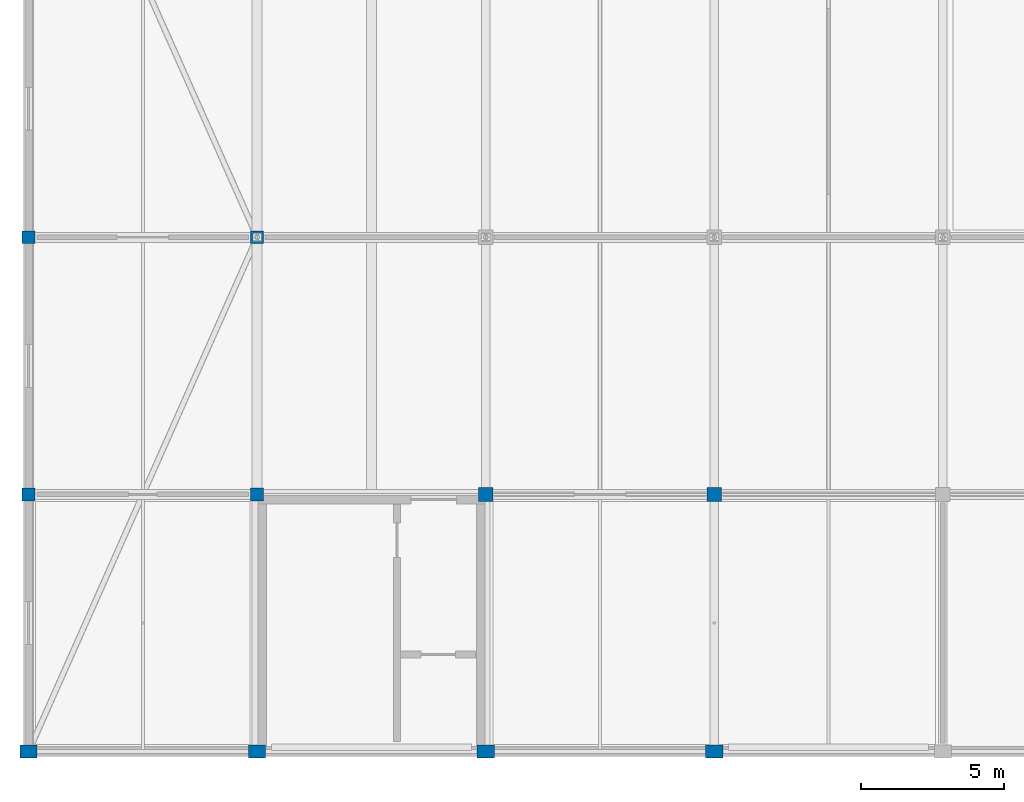
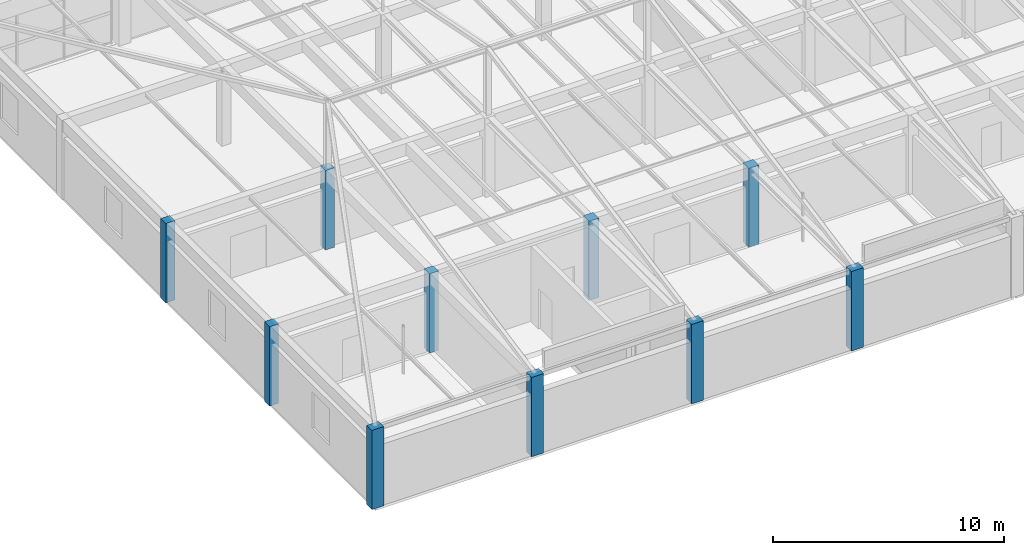
# One storey, part 1 of 65: 10 columns.
"""IFC4 building model written with IfcOpenShell, lengths in metres."""

from ifc_helpers import new_model, si_unit, direction, frame, origin, origin_2d, place, context, subcontext, project, spatial, rectangle, extrude, material, material_profile, profile_set, type_object, element, save


model = new_model("IFC4")

# Units and contexts
model_context = context("Model", 3, precision=1e-05, world=origin(), true_north=direction((0.0, 1.0)))
body_context = subcontext(model_context, "Body", "Model", "MODEL_VIEW")
ifc_project = project(units=[si_unit("LENGTHUNIT", "METRE"), si_unit("AREAUNIT", "SQUARE_METRE"), si_unit("VOLUMEUNIT", "CUBIC_METRE"), si_unit("PLANEANGLEUNIT", "RADIAN"), si_unit("MASSUNIT", "GRAM", prefix="KILO")], contexts=[model_context])

# Site, building, storey
site_placement = place(None, origin())
site = spatial("IfcSite", under=ifc_project, at=site_placement, CompositionType="ELEMENT")
building_placement = place(site_placement, origin())
building = spatial("IfcBuilding", under=site, at=building_placement, Name="Varnabhumi Central Station", CompositionType="ELEMENT")
storey_placement = place(building_placement, frame((0.0, 0.0, 24.60009765625)))
storey = spatial("IfcBuildingStorey", under=building, at=storey_placement, Name="L05", CompositionType="ELEMENT", Elevation=24.60009765625)

# Columns
ifc_material = material(Name="Concrete M40", Category="concrete")
ifc_material_profile_1 = material_profile(ifc_material, rectangle(XDim=0.449951171875, YDim=0.449951171875, at=origin_2d()), Name="Concrete M40", Category="concrete")
ifc_profile_set_1 = profile_set([ifc_material_profile_1], Name="Concrete M40")
column_type_1 = type_object("IfcColumnType", Name="COL-RC-450", PredefinedType="COLUMN", material=ifc_profile_set_1)
for number, where, z_axis, x_axis, name in (
    (1, (32.0, 9.0, 0.0), (0.0, 0.0, 1.0), (1.0, 0.0, 0.0), "Column L05-5B"),
    (2, (32.0, 18.0, 0.0), (0.0, 0.0, 1.0), (1.0, 0.0, 0.0), "Column L05-5C"),
    (3, (40.0, 9.0, 0.0), (0.0, 0.0, 1.0), (1.0, 0.0, 0.0), "Column L05-6B"),
    (4, (40.0, 18.0, 0.0), (0.0, 0.0, 1.0), (1.0, 0.0, 0.0), "Column L05-6C"),
):
    element("IfcColumn", number, at=place(storey_placement, frame(where, z_axis=z_axis, x_axis=x_axis)), inside=storey, type_object=column_type_1, Name=name, PredefinedType="COLUMN", context=body_context, shape_type="SweptSolid", body=[
        extrude(rectangle(XDim=0.449951171875, YDim=0.449951171875, at=origin_2d()), origin(), (0.0, 0.0, 1.0), 4.199951171875),
    ])
ifc_material_profile_2 = material_profile(ifc_material, rectangle(XDim=0.60009765625, YDim=0.449951171875, at=origin_2d()), Name="Concrete M40", Category="concrete")
ifc_profile_set_2 = profile_set([ifc_material_profile_2], Name="Concrete M40")
column_type_2 = type_object("IfcColumnType", Name="COL-RC-600x450", PredefinedType="PILASTER", material=ifc_profile_set_2)
for number, where, z_axis, x_axis, name in (
    (5, (32.0, 0.0, 0.0), (0.0, 0.0, 1.0), (1.0, 0.0, 0.0), "Column L05-5A"),
    (6, (40.0, 0.0, 0.0), (0.0, 0.0, 1.0), (1.0, 0.0, 0.0), "Column L05-6A"),
    (7, (48.0, 0.0, 0.0), (0.0, 0.0, 1.0), (1.0, 0.0, 0.0), "Column L05-7A"),
    (8, (56.0, 0.0, 0.0), (0.0, 0.0, 1.0), (1.0, 0.0, 0.0), "Column L05-8A"),
):
    element("IfcColumn", number, at=place(storey_placement, frame(where, z_axis=z_axis, x_axis=x_axis)), inside=storey, type_object=column_type_2, Name=name, PredefinedType="PILASTER", context=body_context, shape_type="SweptSolid", body=[
        extrude(rectangle(XDim=0.60009765625, YDim=0.449951171875, at=origin_2d()), origin(), (0.0, 0.0, 1.0), 4.199951171875),
    ])
ifc_material_profile_3 = material_profile(ifc_material, rectangle(XDim=0.5, YDim=0.5, at=origin_2d()), Name="Concrete M40", Category="concrete")
ifc_profile_set_3 = profile_set([ifc_material_profile_3], Name="Concrete M40")
column_type_3 = type_object("IfcColumnType", Name="COL-UPPER-500", PredefinedType="COLUMN", material=ifc_profile_set_3)
for number, where, z_axis, x_axis, name in (
    (9, (48.0, 9.0, 0.0), (0.0, 0.0, 1.0), (1.0, 0.0, 0.0), "Column L05-7B"),
    (10, (56.0, 9.0, 0.0), (0.0, 0.0, 1.0), (1.0, 0.0, 0.0), "Column L05-8B"),
):
    element("IfcColumn", number, at=place(storey_placement, frame(where, z_axis=z_axis, x_axis=x_axis)), inside=storey, type_object=column_type_3, Name=name, PredefinedType="COLUMN", context=body_context, shape_type="SweptSolid", body=[
        extrude(rectangle(XDim=0.5, YDim=0.5, at=origin_2d()), origin(), (0.0, 0.0, 1.0), 4.199951171875),
    ])

save(model, "model.ifc")
